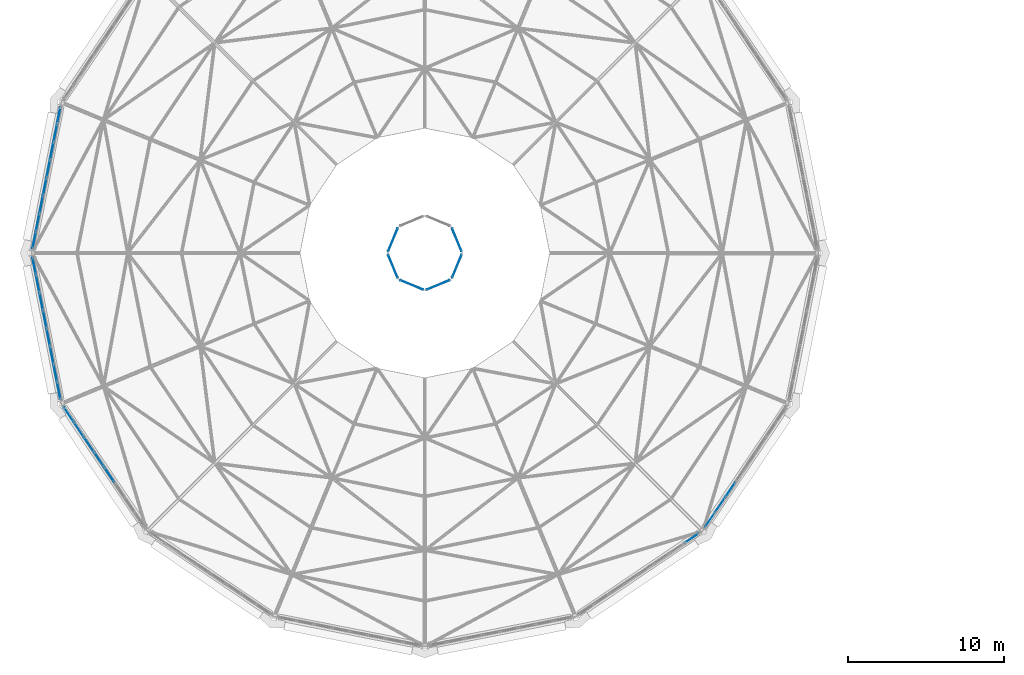
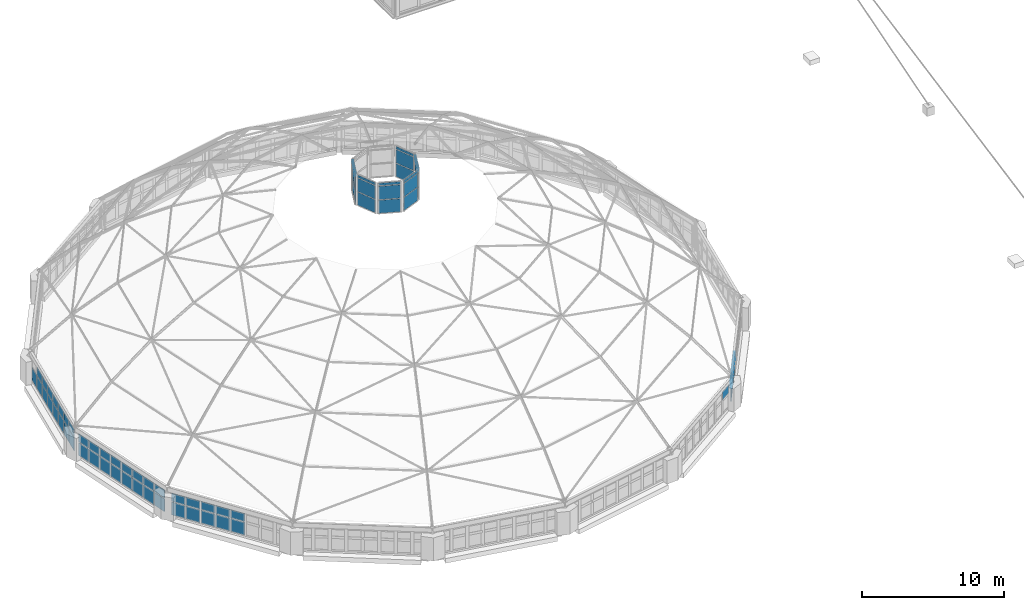
# One storey, part 41 of 68: 66 plates, 11 elements without a shape of their own.
"""IFC4 building model written with IfcOpenShell, lengths in metres."""

from ifc_helpers import new_model, si_unit, direction, frame, origin, origin_2d, place, context, subcontext, project, spatial, rectangle, extrude, material, layer, layer_set, type_object, element, aggregate, save


model = new_model("IFC4")

# Units and contexts
model_context = context("Model", 3, precision=1e-05, world=origin(), true_north=direction((0.0, 1.0)))
body_context = subcontext(model_context, "Body", "Model", "MODEL_VIEW")
ifc_project = project(units=[si_unit("LENGTHUNIT", "METRE"), si_unit("AREAUNIT", "SQUARE_METRE"), si_unit("VOLUMEUNIT", "CUBIC_METRE"), si_unit("PLANEANGLEUNIT", "RADIAN"), si_unit("MASSUNIT", "GRAM", prefix="KILO")], contexts=[model_context])

# Site, building, storey
site_placement = place(None, origin())
site = spatial("IfcSite", under=ifc_project, at=site_placement, CompositionType="ELEMENT")
building_placement = place(site_placement, origin())
building = spatial("IfcBuilding", under=site, at=building_placement, Name="Kupolbacken Congress Centre", CompositionType="ELEMENT")
storey_placement = place(building_placement, frame((0.0, 0.0, 25.199951171875)))
storey = spatial("IfcBuildingStorey", under=building, at=storey_placement, Name="L07", CompositionType="ELEMENT", Elevation=25.199951171875)

# Curtain wall, plates
ifc_material_1 = material(Name="Aluminium mullion-transom frame with glass", Category="aluminium")
curtain_wall_type_1 = type_object("IfcCurtainWallType", Name="CW8 curtain wall 2400x3600", PredefinedType="NOTDEFINED", material=ifc_material_1)
curtain_wall_1_placement = place(storey_placement, origin())
curtain_wall_1 = element("IfcCurtainWall", 1, at=curtain_wall_1_placement, inside=storey, type_object=curtain_wall_type_1, Name="DM/LAN/CW01", PredefinedType="NOTDEFINED")
ifc_material_2 = material(Name="Glass", Category="glass")
ifc_layer = layer(ifc_material_2, 0.028076171875)
ifc_layer_set = layer_set([ifc_layer], Name="Glass")
plate_type = type_object("IfcPlateType", Name="GL1 glass panel 28", PredefinedType="CURTAIN_PANEL", material=ifc_layer_set)
plate_1_placement = place(storey_placement, frame((45.24853515625, 87.24853515625, 13.89111328125), z_axis=(0.0, 0.0, 1.0), x_axis=(-0.382683432236, 0.923879532565, 0.0)))
plate_1 = element("IfcPlate", 2, at=plate_1_placement, type_object=plate_type, Name="CW8 panel 1.1", PredefinedType="CURTAIN_PANEL", context=body_context, shape_type="SweptSolid", body=[
    extrude(rectangle(XDim=1.568603515625, YDim=0.028076171875, at=origin_2d()), origin(), (0.0, 0.0, 1.0), 1.125),
])
plate_2_placement = place(storey_placement, frame((45.24853515625, 87.24853515625, 15.066162109375), z_axis=(0.0, 0.0, 1.0), x_axis=(-0.382683432236, 0.923879532565, 0.0)))
plate_2 = element("IfcPlate", 3, at=plate_2_placement, type_object=plate_type, Name="CW8 panel 1.2", PredefinedType="CURTAIN_PANEL", context=body_context, shape_type="SweptSolid", body=[
    extrude(rectangle(XDim=1.568603515625, YDim=0.028076171875, at=origin_2d()), origin(), (0.0, 0.0, 1.0), 1.14990234375),
])
plate_3_placement = place(storey_placement, frame((45.24853515625, 87.24853515625, 16.26611328125), z_axis=(0.0, 0.0, 1.0), x_axis=(-0.382683432236, 0.923879532565, 0.0)))
plate_3 = element("IfcPlate", 4, at=plate_3_placement, type_object=plate_type, Name="CW8 panel 1.3", PredefinedType="CURTAIN_PANEL", context=body_context, shape_type="SweptSolid", body=[
    extrude(rectangle(XDim=1.568603515625, YDim=0.028076171875, at=origin_2d()), origin(), (0.0, 0.0, 1.0), 0.22509765625),
])
aggregate(curtain_wall_1, [plate_1, plate_2, plate_3])

curtain_wall_2_placement = place(storey_placement, origin())
curtain_wall_2 = element("IfcCurtainWall", 5, at=curtain_wall_2_placement, inside=storey, type_object=curtain_wall_type_1, Name="DM/LAN/CW04", PredefinedType="NOTDEFINED")
plate_4_placement = place(storey_placement, frame((41.1513671875, 87.24853515625, 13.89111328125), z_axis=(0.0, 0.0, 1.0), x_axis=(-0.382683432236, -0.923879532565, 0.0)))
plate_4 = element("IfcPlate", 6, at=plate_4_placement, type_object=plate_type, Name="CW8 panel 1.1", PredefinedType="CURTAIN_PANEL", context=body_context, shape_type="SweptSolid", body=[
    extrude(rectangle(XDim=1.568603515625, YDim=0.028076171875, at=origin_2d()), origin(), (0.0, 0.0, 1.0), 1.125),
])
plate_5_placement = place(storey_placement, frame((41.1513671875, 87.24853515625, 15.066162109375), z_axis=(0.0, 0.0, 1.0), x_axis=(-0.382683432236, -0.923879532565, 0.0)))
plate_5 = element("IfcPlate", 7, at=plate_5_placement, type_object=plate_type, Name="CW8 panel 1.2", PredefinedType="CURTAIN_PANEL", context=body_context, shape_type="SweptSolid", body=[
    extrude(rectangle(XDim=1.568603515625, YDim=0.028076171875, at=origin_2d()), origin(), (0.0, 0.0, 1.0), 1.14990234375),
])
plate_6_placement = place(storey_placement, frame((41.1513671875, 87.24853515625, 16.26611328125), z_axis=(0.0, 0.0, 1.0), x_axis=(-0.382683432236, -0.923879532565, 0.0)))
plate_6 = element("IfcPlate", 8, at=plate_6_placement, type_object=plate_type, Name="CW8 panel 1.3", PredefinedType="CURTAIN_PANEL", context=body_context, shape_type="SweptSolid", body=[
    extrude(rectangle(XDim=1.568603515625, YDim=0.028076171875, at=origin_2d()), origin(), (0.0, 0.0, 1.0), 0.22509765625),
])
aggregate(curtain_wall_2, [plate_4, plate_5, plate_6])

curtain_wall_3_placement = place(storey_placement, origin())
curtain_wall_3 = element("IfcCurtainWall", 9, at=curtain_wall_3_placement, inside=storey, type_object=curtain_wall_type_1, Name="DM/LAN/CW05", PredefinedType="NOTDEFINED")
plate_7_placement = place(storey_placement, frame((41.1513671875, 85.551513671875, 13.89111328125), z_axis=(0.0, 0.0, 1.0), x_axis=(0.382683432236, -0.923879532565, 0.0)))
plate_7 = element("IfcPlate", 10, at=plate_7_placement, type_object=plate_type, Name="CW8 panel 1.1", PredefinedType="CURTAIN_PANEL", context=body_context, shape_type="SweptSolid", body=[
    extrude(rectangle(XDim=1.568603515625, YDim=0.028076171875, at=origin_2d()), origin(), (0.0, 0.0, 1.0), 1.125),
])
plate_8_placement = place(storey_placement, frame((41.1513671875, 85.551513671875, 15.066162109375), z_axis=(0.0, 0.0, 1.0), x_axis=(0.382683432236, -0.923879532565, 0.0)))
plate_8 = element("IfcPlate", 11, at=plate_8_placement, type_object=plate_type, Name="CW8 panel 1.2", PredefinedType="CURTAIN_PANEL", context=body_context, shape_type="SweptSolid", body=[
    extrude(rectangle(XDim=1.568603515625, YDim=0.028076171875, at=origin_2d()), origin(), (0.0, 0.0, 1.0), 1.14990234375),
])
plate_9_placement = place(storey_placement, frame((41.1513671875, 85.551513671875, 16.26611328125), z_axis=(0.0, 0.0, 1.0), x_axis=(0.382683432236, -0.923879532565, 0.0)))
plate_9 = element("IfcPlate", 12, at=plate_9_placement, type_object=plate_type, Name="CW8 panel 1.3", PredefinedType="CURTAIN_PANEL", context=body_context, shape_type="SweptSolid", body=[
    extrude(rectangle(XDim=1.568603515625, YDim=0.028076171875, at=origin_2d()), origin(), (0.0, 0.0, 1.0), 0.22509765625),
])
aggregate(curtain_wall_3, [plate_7, plate_8, plate_9])

curtain_wall_4_placement = place(storey_placement, origin())
curtain_wall_4 = element("IfcCurtainWall", 13, at=curtain_wall_4_placement, inside=storey, type_object=curtain_wall_type_1, Name="DM/LAN/CW06", PredefinedType="NOTDEFINED")
plate_10_placement = place(storey_placement, frame((42.3515625, 84.3515625, 13.89111328125), z_axis=(0.0, 0.0, 1.0), x_axis=(0.923879532565, -0.382683432236, 0.0)))
plate_10 = element("IfcPlate", 14, at=plate_10_placement, type_object=plate_type, Name="CW8 panel 1.1", PredefinedType="CURTAIN_PANEL", context=body_context, shape_type="SweptSolid", body=[
    extrude(rectangle(XDim=1.568603515625, YDim=0.028076171875, at=origin_2d()), origin(), (0.0, 0.0, 1.0), 1.125),
])
plate_11_placement = place(storey_placement, frame((42.3515625, 84.3515625, 15.066162109375), z_axis=(0.0, 0.0, 1.0), x_axis=(0.923879532565, -0.382683432236, 0.0)))
plate_11 = element("IfcPlate", 15, at=plate_11_placement, type_object=plate_type, Name="CW8 panel 1.2", PredefinedType="CURTAIN_PANEL", context=body_context, shape_type="SweptSolid", body=[
    extrude(rectangle(XDim=1.568603515625, YDim=0.028076171875, at=origin_2d()), origin(), (0.0, 0.0, 1.0), 1.14990234375),
])
plate_12_placement = place(storey_placement, frame((42.3515625, 84.3515625, 16.26611328125), z_axis=(0.0, 0.0, 1.0), x_axis=(0.923879532565, -0.382683432236, 0.0)))
plate_12 = element("IfcPlate", 16, at=plate_12_placement, type_object=plate_type, Name="CW8 panel 1.3", PredefinedType="CURTAIN_PANEL", context=body_context, shape_type="SweptSolid", body=[
    extrude(rectangle(XDim=1.568603515625, YDim=0.028076171875, at=origin_2d()), origin(), (0.0, 0.0, 1.0), 0.22509765625),
])
aggregate(curtain_wall_4, [plate_10, plate_11, plate_12])

curtain_wall_5_placement = place(storey_placement, origin())
curtain_wall_5 = element("IfcCurtainWall", 17, at=curtain_wall_5_placement, inside=storey, type_object=curtain_wall_type_1, Name="DM/LAN/CW07", PredefinedType="NOTDEFINED")
plate_13_placement = place(storey_placement, frame((44.048583984375, 84.3515625, 13.89111328125), z_axis=(0.0, 0.0, 1.0), x_axis=(0.923879532565, 0.382683432236, 0.0)))
plate_13 = element("IfcPlate", 18, at=plate_13_placement, type_object=plate_type, Name="CW8 panel 1.1", PredefinedType="CURTAIN_PANEL", context=body_context, shape_type="SweptSolid", body=[
    extrude(rectangle(XDim=1.568603515625, YDim=0.028076171875, at=origin_2d()), origin(), (0.0, 0.0, 1.0), 1.125),
])
plate_14_placement = place(storey_placement, frame((44.048583984375, 84.3515625, 15.066162109375), z_axis=(0.0, 0.0, 1.0), x_axis=(0.923879532565, 0.382683432236, 0.0)))
plate_14 = element("IfcPlate", 19, at=plate_14_placement, type_object=plate_type, Name="CW8 panel 1.2", PredefinedType="CURTAIN_PANEL", context=body_context, shape_type="SweptSolid", body=[
    extrude(rectangle(XDim=1.568603515625, YDim=0.028076171875, at=origin_2d()), origin(), (0.0, 0.0, 1.0), 1.14990234375),
])
plate_15_placement = place(storey_placement, frame((44.048583984375, 84.3515625, 16.26611328125), z_axis=(0.0, 0.0, 1.0), x_axis=(0.923879532565, 0.382683432236, 0.0)))
plate_15 = element("IfcPlate", 20, at=plate_15_placement, type_object=plate_type, Name="CW8 panel 1.3", PredefinedType="CURTAIN_PANEL", context=body_context, shape_type="SweptSolid", body=[
    extrude(rectangle(XDim=1.568603515625, YDim=0.028076171875, at=origin_2d()), origin(), (0.0, 0.0, 1.0), 0.22509765625),
])
aggregate(curtain_wall_5, [plate_13, plate_14, plate_15])

curtain_wall_6_placement = place(storey_placement, origin())
curtain_wall_6 = element("IfcCurtainWall", 21, at=curtain_wall_6_placement, inside=storey, type_object=curtain_wall_type_1, Name="DM/LAN/CW08", PredefinedType="NOTDEFINED")
plate_16_placement = place(storey_placement, frame((45.24853515625, 85.551513671875, 13.89111328125), z_axis=(0.0, 0.0, 1.0), x_axis=(0.382683432236, 0.923879532565, 0.0)))
plate_16 = element("IfcPlate", 22, at=plate_16_placement, type_object=plate_type, Name="CW8 panel 1.1", PredefinedType="CURTAIN_PANEL", context=body_context, shape_type="SweptSolid", body=[
    extrude(rectangle(XDim=1.568603515625, YDim=0.028076171875, at=origin_2d()), origin(), (0.0, 0.0, 1.0), 1.125),
])
plate_17_placement = place(storey_placement, frame((45.24853515625, 85.551513671875, 15.066162109375), z_axis=(0.0, 0.0, 1.0), x_axis=(0.382683432236, 0.923879532565, 0.0)))
plate_17 = element("IfcPlate", 23, at=plate_17_placement, type_object=plate_type, Name="CW8 panel 1.2", PredefinedType="CURTAIN_PANEL", context=body_context, shape_type="SweptSolid", body=[
    extrude(rectangle(XDim=1.568603515625, YDim=0.028076171875, at=origin_2d()), origin(), (0.0, 0.0, 1.0), 1.14990234375),
])
plate_18_placement = place(storey_placement, frame((45.24853515625, 85.551513671875, 16.26611328125), z_axis=(0.0, 0.0, 1.0), x_axis=(0.382683432236, 0.923879532565, 0.0)))
plate_18 = element("IfcPlate", 24, at=plate_18_placement, type_object=plate_type, Name="CW8 panel 1.3", PredefinedType="CURTAIN_PANEL", context=body_context, shape_type="SweptSolid", body=[
    extrude(rectangle(XDim=1.568603515625, YDim=0.028076171875, at=origin_2d()), origin(), (0.0, 0.0, 1.0), 0.22509765625),
])
aggregate(curtain_wall_6, [plate_16, plate_17, plate_18])

ifc_material_3 = material(Name="Aluminium mullion-transom frame with glass", Category="aluminium")
curtain_wall_type_2 = type_object("IfcCurtainWallType", Name="CW3 curtain wall 9830x3600", PredefinedType="NOTDEFINED", material=ifc_material_3)
curtain_wall_7_placement = place(storey_placement, origin())
curtain_wall_7 = element("IfcCurtainWall", 25, at=curtain_wall_7_placement, inside=storey, type_object=curtain_wall_type_2, Name="E/P/drum/cw/L07/01", PredefinedType="NOTDEFINED")
plate_19_placement = place(storey_placement, frame((20.37451171875, 76.046875, 0.4599609375), z_axis=(0.0, 0.0, 1.0), x_axis=(0.559385512775, -0.82890762338, 0.0)))
plate_19 = element("IfcPlate", 26, at=plate_19_placement, type_object=plate_type, Name="CW3 panel 1.1", PredefinedType="CURTAIN_PANEL", context=body_context, shape_type="SweptSolid", body=[
    extrude(rectangle(XDim=1.076416015625, YDim=0.028076171875, at=origin_2d()), origin(), (0.0, 0.0, 1.0), 1.110107421875),
])
plate_20_placement = place(storey_placement, frame((20.37451171875, 76.046875, 1.6298828125), z_axis=(0.0, 0.0, 1.0), x_axis=(0.559385512775, -0.82890762338, 0.0)))
plate_20 = element("IfcPlate", 27, at=plate_20_placement, type_object=plate_type, Name="CW3 panel 1.2", PredefinedType="CURTAIN_PANEL", context=body_context, shape_type="SweptSolid", body=[
    extrude(rectangle(XDim=1.076416015625, YDim=0.028076171875, at=origin_2d()), origin(), (0.0, 0.0, 1.0), 0.699951171875),
])
plate_21_placement = place(storey_placement, frame((21.0185546875, 75.09228515625, 0.4599609375), z_axis=(0.0, 0.0, 1.0), x_axis=(0.559385512775, -0.82890762338, 0.0)))
plate_21 = element("IfcPlate", 28, at=plate_21_placement, type_object=plate_type, Name="CW3 panel 2.1", PredefinedType="CURTAIN_PANEL", context=body_context, shape_type="SweptSolid", body=[
    extrude(rectangle(XDim=1.1064453125, YDim=0.028076171875, at=origin_2d()), origin(), (0.0, 0.0, 1.0), 1.110107421875),
])
plate_22_placement = place(storey_placement, frame((21.0185546875, 75.09228515625, 1.6298828125), z_axis=(0.0, 0.0, 1.0), x_axis=(0.559385512775, -0.82890762338, 0.0)))
plate_22 = element("IfcPlate", 29, at=plate_22_placement, type_object=plate_type, Name="CW3 panel 2.2", PredefinedType="CURTAIN_PANEL", context=body_context, shape_type="SweptSolid", body=[
    extrude(rectangle(XDim=1.1064453125, YDim=0.028076171875, at=origin_2d()), origin(), (0.0, 0.0, 1.0), 0.699951171875),
])
plate_23_placement = place(storey_placement, frame((21.671142578125, 74.12548828125, 0.4599609375), z_axis=(0.0, 0.0, 1.0), x_axis=(0.559385512775, -0.82890762338, 0.0)))
plate_23 = element("IfcPlate", 30, at=plate_23_placement, type_object=plate_type, Name="CW3 panel 3.1", PredefinedType="CURTAIN_PANEL", context=body_context, shape_type="SweptSolid", body=[
    extrude(rectangle(XDim=1.1064453125, YDim=0.028076171875, at=origin_2d()), origin(), (0.0, 0.0, 1.0), 1.110107421875),
])
plate_24_placement = place(storey_placement, frame((21.671142578125, 74.12548828125, 1.6298828125), z_axis=(0.0, 0.0, 1.0), x_axis=(0.559385512775, -0.82890762338, 0.0)))
plate_24 = element("IfcPlate", 31, at=plate_24_placement, type_object=plate_type, Name="CW3 panel 3.2", PredefinedType="CURTAIN_PANEL", context=body_context, shape_type="SweptSolid", body=[
    extrude(rectangle(XDim=1.1064453125, YDim=0.028076171875, at=origin_2d()), origin(), (0.0, 0.0, 1.0), 0.699951171875),
])
plate_25_placement = place(storey_placement, frame((22.32373046875, 73.158447265625, 0.4599609375), z_axis=(0.0, 0.0, 1.0), x_axis=(0.559385512775, -0.82890762338, 0.0)))
plate_25 = element("IfcPlate", 32, at=plate_25_placement, type_object=plate_type, Name="CW3 panel 4.1", PredefinedType="CURTAIN_PANEL", context=body_context, shape_type="SweptSolid", body=[
    extrude(rectangle(XDim=1.1064453125, YDim=0.028076171875, at=origin_2d()), origin(), (0.0, 0.0, 1.0), 1.110107421875),
])
plate_26_placement = place(storey_placement, frame((22.32373046875, 73.158447265625, 1.6298828125), z_axis=(0.0, 0.0, 1.0), x_axis=(0.559385512775, -0.82890762338, 0.0)))
plate_26 = element("IfcPlate", 33, at=plate_26_placement, type_object=plate_type, Name="CW3 panel 4.2", PredefinedType="CURTAIN_PANEL", context=body_context, shape_type="SweptSolid", body=[
    extrude(rectangle(XDim=1.1064453125, YDim=0.028076171875, at=origin_2d()), origin(), (0.0, 0.0, 1.0), 0.699951171875),
])
plate_27_placement = place(storey_placement, frame((22.976318359375, 72.191650390625, 0.4599609375), z_axis=(0.0, 0.0, 1.0), x_axis=(0.559385512775, -0.82890762338, 0.0)))
plate_27 = element("IfcPlate", 34, at=plate_27_placement, type_object=plate_type, Name="CW3 panel 5.1", PredefinedType="CURTAIN_PANEL", context=body_context, shape_type="SweptSolid", body=[
    extrude(rectangle(XDim=1.1064453125, YDim=0.028076171875, at=origin_2d()), origin(), (0.0, 0.0, 1.0), 1.110107421875),
])
plate_28_placement = place(storey_placement, frame((22.976318359375, 72.191650390625, 1.6298828125), z_axis=(0.0, 0.0, 1.0), x_axis=(0.559385512775, -0.82890762338, 0.0)))
plate_28 = element("IfcPlate", 35, at=plate_28_placement, type_object=plate_type, Name="CW3 panel 5.2", PredefinedType="CURTAIN_PANEL", context=body_context, shape_type="SweptSolid", body=[
    extrude(rectangle(XDim=1.1064453125, YDim=0.028076171875, at=origin_2d()), origin(), (0.0, 0.0, 1.0), 0.699951171875),
])
aggregate(curtain_wall_7, [plate_19, plate_20, plate_21, plate_22, plate_23, plate_24, plate_25, plate_26, plate_27, plate_28])

# Curtain wall, plate
curtain_wall_8_placement = place(storey_placement, origin())
curtain_wall_8 = element("IfcCurtainWall", 36, at=curtain_wall_8_placement, inside=storey, type_object=curtain_wall_type_2, Name="E/P/drum/cw/L07/05", PredefinedType="NOTDEFINED")
plate_29_placement = place(storey_placement, frame((60.296875, 68.12548828125, 1.6298828125), z_axis=(0.0, 0.0, 1.0), x_axis=(0.82890762338, 0.559385512775, 0.0)))
plate_29 = element("IfcPlate", 37, at=plate_29_placement, type_object=plate_type, Name="CW3 panel 8.2", PredefinedType="CURTAIN_PANEL", context=body_context, shape_type="SweptSolid", body=[
    extrude(rectangle(XDim=1.076416015625, YDim=0.028076171875, at=origin_2d()), origin(), (0.0, 0.0, 1.0), 0.699951171875),
])
aggregate(curtain_wall_8, [plate_29])

# Curtain wall, plates
curtain_wall_9_placement = place(storey_placement, origin())
curtain_wall_9 = element("IfcCurtainWall", 38, at=curtain_wall_9_placement, inside=storey, type_object=curtain_wall_type_2, Name="E/P/drum/cw/L07/06", PredefinedType="NOTDEFINED")
plate_30_placement = place(storey_placement, frame((61.474609375, 69.30322265625, 0.4599609375), z_axis=(0.0, 0.0, 1.0), x_axis=(0.559385512775, 0.82890762338, 0.0)))
plate_30 = element("IfcPlate", 39, at=plate_30_placement, type_object=plate_type, Name="CW3 panel 1.1", PredefinedType="CURTAIN_PANEL", context=body_context, shape_type="SweptSolid", body=[
    extrude(rectangle(XDim=1.076416015625, YDim=0.028076171875, at=origin_2d()), origin(), (0.0, 0.0, 1.0), 1.110107421875),
])
plate_31_placement = place(storey_placement, frame((61.474609375, 69.30322265625, 1.6298828125), z_axis=(0.0, 0.0, 1.0), x_axis=(0.559385512775, 0.82890762338, 0.0)))
plate_31 = element("IfcPlate", 40, at=plate_31_placement, type_object=plate_type, Name="CW3 panel 1.2", PredefinedType="CURTAIN_PANEL", context=body_context, shape_type="SweptSolid", body=[
    extrude(rectangle(XDim=1.076416015625, YDim=0.028076171875, at=origin_2d()), origin(), (0.0, 0.0, 1.0), 0.699951171875),
])
plate_32_placement = place(storey_placement, frame((62.11865234375, 70.257568359375, 0.4599609375), z_axis=(0.0, 0.0, 1.0), x_axis=(0.559385512775, 0.82890762338, 0.0)))
plate_32 = element("IfcPlate", 41, at=plate_32_placement, type_object=plate_type, Name="CW3 panel 2.1", PredefinedType="CURTAIN_PANEL", context=body_context, shape_type="SweptSolid", body=[
    extrude(rectangle(XDim=1.1064453125, YDim=0.028076171875, at=origin_2d()), origin(), (0.0, 0.0, 1.0), 1.110107421875),
])
plate_33_placement = place(storey_placement, frame((62.11865234375, 70.257568359375, 1.6298828125), z_axis=(0.0, 0.0, 1.0), x_axis=(0.559385512775, 0.82890762338, 0.0)))
plate_33 = element("IfcPlate", 42, at=plate_33_placement, type_object=plate_type, Name="CW3 panel 2.2", PredefinedType="CURTAIN_PANEL", context=body_context, shape_type="SweptSolid", body=[
    extrude(rectangle(XDim=1.1064453125, YDim=0.028076171875, at=origin_2d()), origin(), (0.0, 0.0, 1.0), 0.699951171875),
])
plate_34_placement = place(storey_placement, frame((62.771240234375, 71.224609375, 0.4599609375), z_axis=(0.0, 0.0, 1.0), x_axis=(0.559385512775, 0.82890762338, 0.0)))
plate_34 = element("IfcPlate", 43, at=plate_34_placement, type_object=plate_type, Name="CW3 panel 3.1", PredefinedType="CURTAIN_PANEL", context=body_context, shape_type="SweptSolid", body=[
    extrude(rectangle(XDim=1.1064453125, YDim=0.028076171875, at=origin_2d()), origin(), (0.0, 0.0, 1.0), 1.110107421875),
])
plate_35_placement = place(storey_placement, frame((62.771240234375, 71.224609375, 1.6298828125), z_axis=(0.0, 0.0, 1.0), x_axis=(0.559385512775, 0.82890762338, 0.0)))
plate_35 = element("IfcPlate", 44, at=plate_35_placement, type_object=plate_type, Name="CW3 panel 3.2", PredefinedType="CURTAIN_PANEL", context=body_context, shape_type="SweptSolid", body=[
    extrude(rectangle(XDim=1.1064453125, YDim=0.028076171875, at=origin_2d()), origin(), (0.0, 0.0, 1.0), 0.699951171875),
])
aggregate(curtain_wall_9, [plate_30, plate_31, plate_32, plate_33, plate_34, plate_35])

curtain_wall_10_placement = place(storey_placement, origin())
curtain_wall_10 = element("IfcCurtainWall", 45, at=curtain_wall_10_placement, inside=storey, type_object=curtain_wall_type_2, Name="E/P/drum/cw/L07/15", PredefinedType="NOTDEFINED")
plate_36_placement = place(storey_placement, frame((19.736083984375, 95.217529296875, 0.4599609375), z_axis=(0.0, 0.0, 1.0), x_axis=(-0.193182327812, -0.981162875481, 0.0)))
plate_36 = element("IfcPlate", 46, at=plate_36_placement, type_object=plate_type, Name="CW3 panel 1.1", PredefinedType="CURTAIN_PANEL", context=body_context, shape_type="SweptSolid", body=[
    extrude(rectangle(XDim=1.076904296875, YDim=0.028076171875, at=origin_2d()), origin(), (0.0, 0.0, 1.0), 1.110107421875),
])
plate_37_placement = place(storey_placement, frame((19.513671875, 94.08740234375, 0.4599609375), z_axis=(0.0, 0.0, 1.0), x_axis=(-0.193182327812, -0.981162875481, 0.0)))
plate_37 = element("IfcPlate", 47, at=plate_37_placement, type_object=plate_type, Name="CW3 panel 2.1", PredefinedType="CURTAIN_PANEL", context=body_context, shape_type="SweptSolid", body=[
    extrude(rectangle(XDim=1.10693359375, YDim=0.028076171875, at=origin_2d()), origin(), (0.0, 0.0, 1.0), 1.110107421875),
])
plate_38_placement = place(storey_placement, frame((19.513671875, 94.08740234375, 1.6298828125), z_axis=(0.0, 0.0, 1.0), x_axis=(-0.193182327812, -0.981162875481, 0.0)))
plate_38 = element("IfcPlate", 48, at=plate_38_placement, type_object=plate_type, Name="CW3 panel 2.2", PredefinedType="CURTAIN_PANEL", context=body_context, shape_type="SweptSolid", body=[
    extrude(rectangle(XDim=1.10693359375, YDim=0.028076171875, at=origin_2d()), origin(), (0.0, 0.0, 1.0), 0.699951171875),
])
plate_39_placement = place(storey_placement, frame((19.2880859375, 92.9423828125, 0.4599609375), z_axis=(0.0, 0.0, 1.0), x_axis=(-0.193182327812, -0.981162875481, 0.0)))
plate_39 = element("IfcPlate", 49, at=plate_39_placement, type_object=plate_type, Name="CW3 panel 3.1", PredefinedType="CURTAIN_PANEL", context=body_context, shape_type="SweptSolid", body=[
    extrude(rectangle(XDim=1.10693359375, YDim=0.028076171875, at=origin_2d()), origin(), (0.0, 0.0, 1.0), 1.110107421875),
])
plate_40_placement = place(storey_placement, frame((19.2880859375, 92.9423828125, 1.6298828125), z_axis=(0.0, 0.0, 1.0), x_axis=(-0.193182327812, -0.981162875481, 0.0)))
plate_40 = element("IfcPlate", 50, at=plate_40_placement, type_object=plate_type, Name="CW3 panel 3.2", PredefinedType="CURTAIN_PANEL", context=body_context, shape_type="SweptSolid", body=[
    extrude(rectangle(XDim=1.10693359375, YDim=0.028076171875, at=origin_2d()), origin(), (0.0, 0.0, 1.0), 0.699951171875),
])
plate_41_placement = place(storey_placement, frame((19.062744140625, 91.79736328125, 0.4599609375), z_axis=(0.0, 0.0, 1.0), x_axis=(-0.193182327812, -0.981162875481, 0.0)))
plate_41 = element("IfcPlate", 51, at=plate_41_placement, type_object=plate_type, Name="CW3 panel 4.1", PredefinedType="CURTAIN_PANEL", context=body_context, shape_type="SweptSolid", body=[
    extrude(rectangle(XDim=1.10693359375, YDim=0.028076171875, at=origin_2d()), origin(), (0.0, 0.0, 1.0), 1.110107421875),
])
plate_42_placement = place(storey_placement, frame((19.062744140625, 91.79736328125, 1.6298828125), z_axis=(0.0, 0.0, 1.0), x_axis=(-0.193182327812, -0.981162875481, 0.0)))
plate_42 = element("IfcPlate", 52, at=plate_42_placement, type_object=plate_type, Name="CW3 panel 4.2", PredefinedType="CURTAIN_PANEL", context=body_context, shape_type="SweptSolid", body=[
    extrude(rectangle(XDim=1.10693359375, YDim=0.028076171875, at=origin_2d()), origin(), (0.0, 0.0, 1.0), 0.699951171875),
])
plate_43_placement = place(storey_placement, frame((18.83740234375, 90.652587890625, 0.4599609375), z_axis=(0.0, 0.0, 1.0), x_axis=(-0.193182327812, -0.981162875481, 0.0)))
plate_43 = element("IfcPlate", 53, at=plate_43_placement, type_object=plate_type, Name="CW3 panel 5.1", PredefinedType="CURTAIN_PANEL", context=body_context, shape_type="SweptSolid", body=[
    extrude(rectangle(XDim=1.10693359375, YDim=0.028076171875, at=origin_2d()), origin(), (0.0, 0.0, 1.0), 1.110107421875),
])
plate_44_placement = place(storey_placement, frame((18.83740234375, 90.652587890625, 1.6298828125), z_axis=(0.0, 0.0, 1.0), x_axis=(-0.193182327812, -0.981162875481, 0.0)))
plate_44 = element("IfcPlate", 54, at=plate_44_placement, type_object=plate_type, Name="CW3 panel 5.2", PredefinedType="CURTAIN_PANEL", context=body_context, shape_type="SweptSolid", body=[
    extrude(rectangle(XDim=1.10693359375, YDim=0.028076171875, at=origin_2d()), origin(), (0.0, 0.0, 1.0), 0.699951171875),
])
plate_45_placement = place(storey_placement, frame((18.61181640625, 89.507568359375, 0.4599609375), z_axis=(0.0, 0.0, 1.0), x_axis=(-0.193182327812, -0.981162875481, 0.0)))
plate_45 = element("IfcPlate", 55, at=plate_45_placement, type_object=plate_type, Name="CW3 panel 6.1", PredefinedType="CURTAIN_PANEL", context=body_context, shape_type="SweptSolid", body=[
    extrude(rectangle(XDim=1.10693359375, YDim=0.028076171875, at=origin_2d()), origin(), (0.0, 0.0, 1.0), 1.110107421875),
])
plate_46_placement = place(storey_placement, frame((18.61181640625, 89.507568359375, 1.6298828125), z_axis=(0.0, 0.0, 1.0), x_axis=(-0.193182327812, -0.981162875481, 0.0)))
plate_46 = element("IfcPlate", 56, at=plate_46_placement, type_object=plate_type, Name="CW3 panel 6.2", PredefinedType="CURTAIN_PANEL", context=body_context, shape_type="SweptSolid", body=[
    extrude(rectangle(XDim=1.10693359375, YDim=0.028076171875, at=origin_2d()), origin(), (0.0, 0.0, 1.0), 0.699951171875),
])
plate_47_placement = place(storey_placement, frame((18.386474609375, 88.36279296875, 0.4599609375), z_axis=(0.0, 0.0, 1.0), x_axis=(-0.193182327812, -0.981162875481, 0.0)))
plate_47 = element("IfcPlate", 57, at=plate_47_placement, type_object=plate_type, Name="CW3 panel 7.1", PredefinedType="CURTAIN_PANEL", context=body_context, shape_type="SweptSolid", body=[
    extrude(rectangle(XDim=1.10693359375, YDim=0.028076171875, at=origin_2d()), origin(), (0.0, 0.0, 1.0), 1.110107421875),
])
plate_48_placement = place(storey_placement, frame((18.386474609375, 88.36279296875, 1.6298828125), z_axis=(0.0, 0.0, 1.0), x_axis=(-0.193182327812, -0.981162875481, 0.0)))
plate_48 = element("IfcPlate", 58, at=plate_48_placement, type_object=plate_type, Name="CW3 panel 7.2", PredefinedType="CURTAIN_PANEL", context=body_context, shape_type="SweptSolid", body=[
    extrude(rectangle(XDim=1.10693359375, YDim=0.028076171875, at=origin_2d()), origin(), (0.0, 0.0, 1.0), 0.699951171875),
])
plate_49_placement = place(storey_placement, frame((18.163818359375, 87.232421875, 0.4599609375), z_axis=(0.0, 0.0, 1.0), x_axis=(-0.193182327812, -0.981162875481, 0.0)))
plate_49 = element("IfcPlate", 59, at=plate_49_placement, type_object=plate_type, Name="CW3 panel 8.1", PredefinedType="CURTAIN_PANEL", context=body_context, shape_type="SweptSolid", body=[
    extrude(rectangle(XDim=1.076904296875, YDim=0.028076171875, at=origin_2d()), origin(), (0.0, 0.0, 1.0), 1.110107421875),
])
plate_50_placement = place(storey_placement, frame((18.163818359375, 87.232421875, 1.6298828125), z_axis=(0.0, 0.0, 1.0), x_axis=(-0.193182327812, -0.981162875481, 0.0)))
plate_50 = element("IfcPlate", 60, at=plate_50_placement, type_object=plate_type, Name="CW3 panel 8.2", PredefinedType="CURTAIN_PANEL", context=body_context, shape_type="SweptSolid", body=[
    extrude(rectangle(XDim=1.076904296875, YDim=0.028076171875, at=origin_2d()), origin(), (0.0, 0.0, 1.0), 0.699951171875),
])
aggregate(curtain_wall_10, [plate_36, plate_37, plate_38, plate_39, plate_40, plate_41, plate_42, plate_43, plate_44, plate_45, plate_46, plate_47, plate_48, plate_49, plate_50])

curtain_wall_11_placement = place(storey_placement, origin())
curtain_wall_11 = element("IfcCurtainWall", 61, at=curtain_wall_11_placement, inside=storey, type_object=curtain_wall_type_2, Name="E/P/drum/cw/L07/16", PredefinedType="NOTDEFINED")
plate_51_placement = place(storey_placement, frame((18.163818359375, 85.567626953125, 0.4599609375), z_axis=(0.0, 0.0, 1.0), x_axis=(0.193182327812, -0.981162875481, 0.0)))
plate_51 = element("IfcPlate", 62, at=plate_51_placement, type_object=plate_type, Name="CW3 panel 1.1", PredefinedType="CURTAIN_PANEL", context=body_context, shape_type="SweptSolid", body=[
    extrude(rectangle(XDim=1.076904296875, YDim=0.028076171875, at=origin_2d()), origin(), (0.0, 0.0, 1.0), 1.110107421875),
])
plate_52_placement = place(storey_placement, frame((18.163818359375, 85.567626953125, 1.6298828125), z_axis=(0.0, 0.0, 1.0), x_axis=(0.193182327812, -0.981162875481, 0.0)))
plate_52 = element("IfcPlate", 63, at=plate_52_placement, type_object=plate_type, Name="CW3 panel 1.2", PredefinedType="CURTAIN_PANEL", context=body_context, shape_type="SweptSolid", body=[
    extrude(rectangle(XDim=1.076904296875, YDim=0.028076171875, at=origin_2d()), origin(), (0.0, 0.0, 1.0), 0.699951171875),
])
plate_53_placement = place(storey_placement, frame((18.386474609375, 84.437255859375, 0.4599609375), z_axis=(0.0, 0.0, 1.0), x_axis=(0.193182327812, -0.981162875481, 0.0)))
plate_53 = element("IfcPlate", 64, at=plate_53_placement, type_object=plate_type, Name="CW3 panel 2.1", PredefinedType="CURTAIN_PANEL", context=body_context, shape_type="SweptSolid", body=[
    extrude(rectangle(XDim=1.10693359375, YDim=0.028076171875, at=origin_2d()), origin(), (0.0, 0.0, 1.0), 1.110107421875),
])
plate_54_placement = place(storey_placement, frame((18.386474609375, 84.437255859375, 1.6298828125), z_axis=(0.0, 0.0, 1.0), x_axis=(0.193182327812, -0.981162875481, 0.0)))
plate_54 = element("IfcPlate", 65, at=plate_54_placement, type_object=plate_type, Name="CW3 panel 2.2", PredefinedType="CURTAIN_PANEL", context=body_context, shape_type="SweptSolid", body=[
    extrude(rectangle(XDim=1.10693359375, YDim=0.028076171875, at=origin_2d()), origin(), (0.0, 0.0, 1.0), 0.699951171875),
])
plate_55_placement = place(storey_placement, frame((18.61181640625, 83.29248046875, 0.4599609375), z_axis=(0.0, 0.0, 1.0), x_axis=(0.193182327812, -0.981162875481, 0.0)))
plate_55 = element("IfcPlate", 66, at=plate_55_placement, type_object=plate_type, Name="CW3 panel 3.1", PredefinedType="CURTAIN_PANEL", context=body_context, shape_type="SweptSolid", body=[
    extrude(rectangle(XDim=1.10693359375, YDim=0.028076171875, at=origin_2d()), origin(), (0.0, 0.0, 1.0), 1.110107421875),
])
plate_56_placement = place(storey_placement, frame((18.61181640625, 83.29248046875, 1.6298828125), z_axis=(0.0, 0.0, 1.0), x_axis=(0.193182327812, -0.981162875481, 0.0)))
plate_56 = element("IfcPlate", 67, at=plate_56_placement, type_object=plate_type, Name="CW3 panel 3.2", PredefinedType="CURTAIN_PANEL", context=body_context, shape_type="SweptSolid", body=[
    extrude(rectangle(XDim=1.10693359375, YDim=0.028076171875, at=origin_2d()), origin(), (0.0, 0.0, 1.0), 0.699951171875),
])
plate_57_placement = place(storey_placement, frame((18.83740234375, 82.1474609375, 0.4599609375), z_axis=(0.0, 0.0, 1.0), x_axis=(0.193182327812, -0.981162875481, 0.0)))
plate_57 = element("IfcPlate", 68, at=plate_57_placement, type_object=plate_type, Name="CW3 panel 4.1", PredefinedType="CURTAIN_PANEL", context=body_context, shape_type="SweptSolid", body=[
    extrude(rectangle(XDim=1.10693359375, YDim=0.028076171875, at=origin_2d()), origin(), (0.0, 0.0, 1.0), 1.110107421875),
])
plate_58_placement = place(storey_placement, frame((18.83740234375, 82.1474609375, 1.6298828125), z_axis=(0.0, 0.0, 1.0), x_axis=(0.193182327812, -0.981162875481, 0.0)))
plate_58 = element("IfcPlate", 69, at=plate_58_placement, type_object=plate_type, Name="CW3 panel 4.2", PredefinedType="CURTAIN_PANEL", context=body_context, shape_type="SweptSolid", body=[
    extrude(rectangle(XDim=1.10693359375, YDim=0.028076171875, at=origin_2d()), origin(), (0.0, 0.0, 1.0), 0.699951171875),
])
plate_59_placement = place(storey_placement, frame((19.062744140625, 81.00244140625, 0.4599609375), z_axis=(0.0, 0.0, 1.0), x_axis=(0.193182327812, -0.981162875481, 0.0)))
plate_59 = element("IfcPlate", 70, at=plate_59_placement, type_object=plate_type, Name="CW3 panel 5.1", PredefinedType="CURTAIN_PANEL", context=body_context, shape_type="SweptSolid", body=[
    extrude(rectangle(XDim=1.10693359375, YDim=0.028076171875, at=origin_2d()), origin(), (0.0, 0.0, 1.0), 1.110107421875),
])
plate_60_placement = place(storey_placement, frame((19.062744140625, 81.00244140625, 1.6298828125), z_axis=(0.0, 0.0, 1.0), x_axis=(0.193182327812, -0.981162875481, 0.0)))
plate_60 = element("IfcPlate", 71, at=plate_60_placement, type_object=plate_type, Name="CW3 panel 5.2", PredefinedType="CURTAIN_PANEL", context=body_context, shape_type="SweptSolid", body=[
    extrude(rectangle(XDim=1.10693359375, YDim=0.028076171875, at=origin_2d()), origin(), (0.0, 0.0, 1.0), 0.699951171875),
])
plate_61_placement = place(storey_placement, frame((19.2880859375, 79.857666015625, 0.4599609375), z_axis=(0.0, 0.0, 1.0), x_axis=(0.193182327812, -0.981162875481, 0.0)))
plate_61 = element("IfcPlate", 72, at=plate_61_placement, type_object=plate_type, Name="CW3 panel 6.1", PredefinedType="CURTAIN_PANEL", context=body_context, shape_type="SweptSolid", body=[
    extrude(rectangle(XDim=1.10693359375, YDim=0.028076171875, at=origin_2d()), origin(), (0.0, 0.0, 1.0), 1.110107421875),
])
plate_62_placement = place(storey_placement, frame((19.2880859375, 79.857666015625, 1.6298828125), z_axis=(0.0, 0.0, 1.0), x_axis=(0.193182327812, -0.981162875481, 0.0)))
plate_62 = element("IfcPlate", 73, at=plate_62_placement, type_object=plate_type, Name="CW3 panel 6.2", PredefinedType="CURTAIN_PANEL", context=body_context, shape_type="SweptSolid", body=[
    extrude(rectangle(XDim=1.10693359375, YDim=0.028076171875, at=origin_2d()), origin(), (0.0, 0.0, 1.0), 0.699951171875),
])
plate_63_placement = place(storey_placement, frame((19.513671875, 78.712646484375, 0.4599609375), z_axis=(0.0, 0.0, 1.0), x_axis=(0.193182327812, -0.981162875481, 0.0)))
plate_63 = element("IfcPlate", 74, at=plate_63_placement, type_object=plate_type, Name="CW3 panel 7.1", PredefinedType="CURTAIN_PANEL", context=body_context, shape_type="SweptSolid", body=[
    extrude(rectangle(XDim=1.10693359375, YDim=0.028076171875, at=origin_2d()), origin(), (0.0, 0.0, 1.0), 1.110107421875),
])
plate_64_placement = place(storey_placement, frame((19.513671875, 78.712646484375, 1.6298828125), z_axis=(0.0, 0.0, 1.0), x_axis=(0.193182327812, -0.981162875481, 0.0)))
plate_64 = element("IfcPlate", 75, at=plate_64_placement, type_object=plate_type, Name="CW3 panel 7.2", PredefinedType="CURTAIN_PANEL", context=body_context, shape_type="SweptSolid", body=[
    extrude(rectangle(XDim=1.10693359375, YDim=0.028076171875, at=origin_2d()), origin(), (0.0, 0.0, 1.0), 0.699951171875),
])
plate_65_placement = place(storey_placement, frame((19.736083984375, 77.58251953125, 0.4599609375), z_axis=(0.0, 0.0, 1.0), x_axis=(0.193182327812, -0.981162875481, 0.0)))
plate_65 = element("IfcPlate", 76, at=plate_65_placement, type_object=plate_type, Name="CW3 panel 8.1", PredefinedType="CURTAIN_PANEL", context=body_context, shape_type="SweptSolid", body=[
    extrude(rectangle(XDim=1.076904296875, YDim=0.028076171875, at=origin_2d()), origin(), (0.0, 0.0, 1.0), 1.110107421875),
])
plate_66_placement = place(storey_placement, frame((19.736083984375, 77.58251953125, 1.6298828125), z_axis=(0.0, 0.0, 1.0), x_axis=(0.193182327812, -0.981162875481, 0.0)))
plate_66 = element("IfcPlate", 77, at=plate_66_placement, type_object=plate_type, Name="CW3 panel 8.2", PredefinedType="CURTAIN_PANEL", context=body_context, shape_type="SweptSolid", body=[
    extrude(rectangle(XDim=1.076904296875, YDim=0.028076171875, at=origin_2d()), origin(), (0.0, 0.0, 1.0), 0.699951171875),
])
aggregate(curtain_wall_11, [plate_51, plate_52, plate_53, plate_54, plate_55, plate_56, plate_57, plate_58, plate_59, plate_60, plate_61, plate_62, plate_63, plate_64, plate_65, plate_66])

save(model, "model.ifc")
